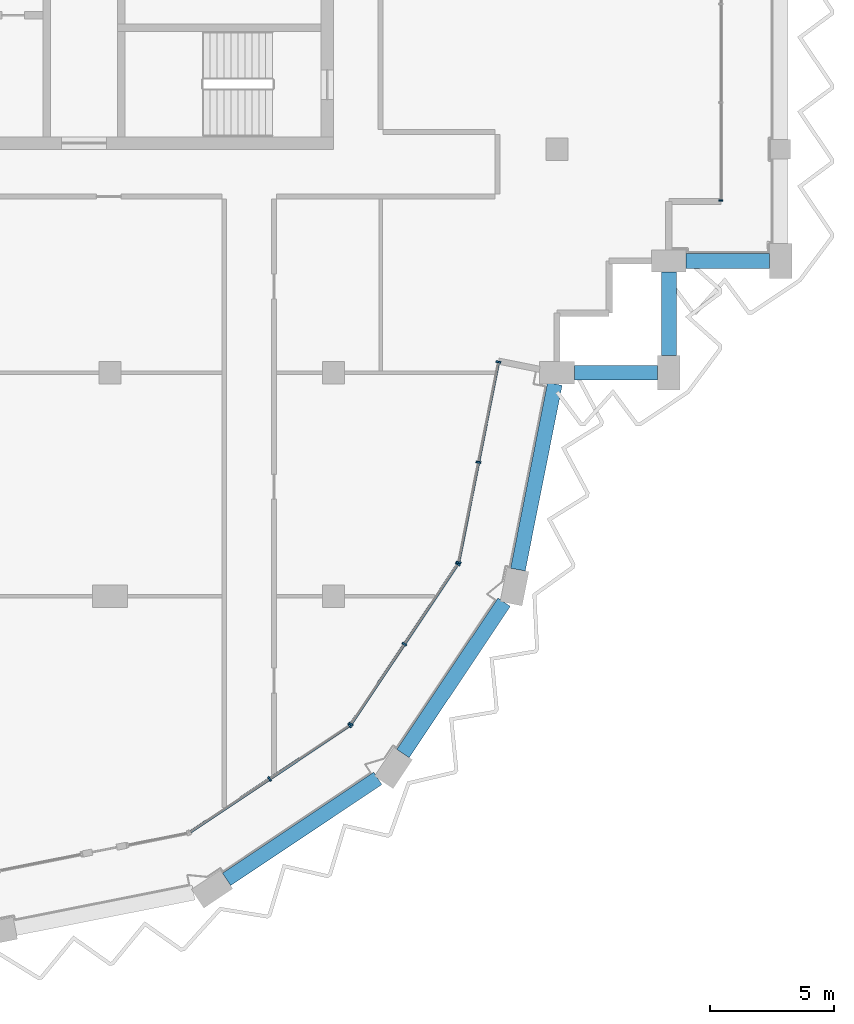
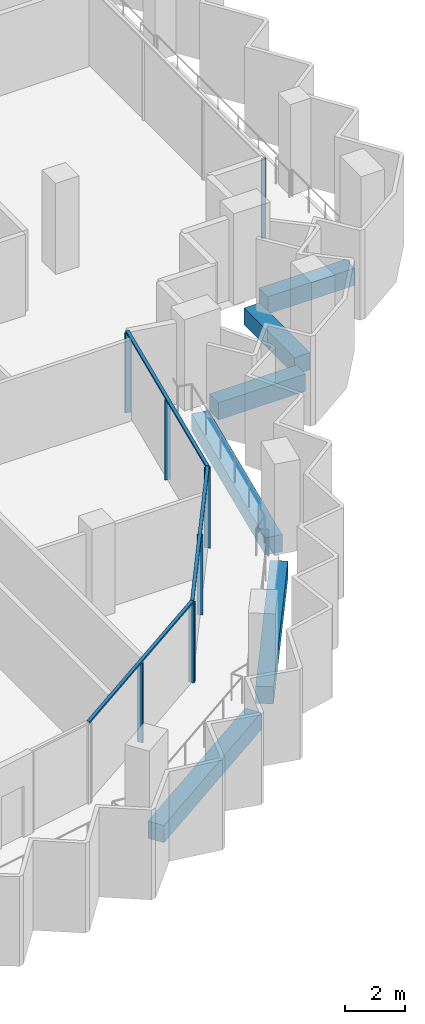
# One storey, part 3 of 14: 12 members, 6 beams, 4 elements without a shape of their own.
"""IFC4 building model written with IfcOpenShell, lengths in metres."""

from ifc_helpers import new_model, si_unit, direction, frame, origin, origin_2d, place, context, subcontext, project, spatial, rectangle, extrude, material, material_profile, profile_set, type_object, element, aggregate, save


model = new_model("IFC4")

# Units and contexts
model_context = context("Model", 3, precision=1e-05, world=origin(), true_north=direction((0.0, 1.0)))
body_context = subcontext(model_context, "Body", "Model", "MODEL_VIEW")
ifc_project = project(units=[si_unit("LENGTHUNIT", "METRE"), si_unit("AREAUNIT", "SQUARE_METRE"), si_unit("VOLUMEUNIT", "CUBIC_METRE"), si_unit("PLANEANGLEUNIT", "RADIAN"), si_unit("MASSUNIT", "GRAM", prefix="KILO")], contexts=[model_context])

# Site, building, storey
site_placement = place(None, origin())
site = spatial("IfcSite", under=ifc_project, at=site_placement, CompositionType="ELEMENT")
building_placement = place(site_placement, origin())
building = spatial("IfcBuilding", under=site, at=building_placement, Name="Hunhe Ridgeline Campus", CompositionType="ELEMENT")
storey_placement = place(building_placement, frame((0.0, 0.0, 288.199951171875)))
storey = spatial("IfcBuildingStorey", under=building, at=storey_placement, Name="L74", CompositionType="ELEMENT", Elevation=288.199951171875)

# Curtain wall, member
ifc_material_1 = material(Name="Aluminium 6063", Category="aluminium")
curtain_wall_type_1 = type_object("IfcCurtainWallType", Name="Curtain wall CW-1", PredefinedType="NOTDEFINED", material=ifc_material_1)
curtain_wall_1_placement = place(storey_placement, origin())
curtain_wall_1 = element("IfcCurtainWall", 1, at=curtain_wall_1_placement, inside=storey, type_object=curtain_wall_type_1, Name="Curtain wall 11", PredefinedType="NOTDEFINED")
ifc_material_profile_1 = material_profile(ifc_material_1, rectangle(XDim=0.159912109375, YDim=0.06005859375, at=origin_2d()))
ifc_profile_set_1 = profile_set([ifc_material_profile_1], Name="Aluminium 6063")
member_type_1 = type_object("IfcMemberType", Name="CW-1 aluminium mullion", PredefinedType="MULLION", material=ifc_profile_set_1)
member_1_placement = place(storey_placement, frame((51.59912109375, 60.930908203125, 0.0), z_axis=(0.0, 0.0, 1.0), x_axis=(-1.0, 0.0, 0.0)))
member_1 = element("IfcMember", 2, at=member_1_placement, type_object=member_type_1, Name="CW-1 mullion 1", PredefinedType="MULLION", context=body_context, shape_type="SweptSolid", body=[
    extrude(rectangle(XDim=0.159912109375, YDim=0.06005859375, at=origin_2d()), origin(), (0.0, 0.0, 1.0), 3.239990234375),
])
aggregate(curtain_wall_1, [member_1])

# Curtain wall, members
curtain_wall_type_2 = type_object("IfcCurtainWallType", Name="Curtain wall CW-5", PredefinedType="NOTDEFINED", material=ifc_material_1)
curtain_wall_2_placement = place(storey_placement, origin())
curtain_wall_2 = element("IfcCurtainWall", 3, at=curtain_wall_2_placement, inside=storey, type_object=curtain_wall_type_2, Name="Curtain wall 08", PredefinedType="NOTDEFINED")
ifc_material_profile_2 = material_profile(ifc_material_1, rectangle(XDim=0.199951171875, YDim=0.070068359375, at=origin_2d()))
ifc_profile_set_2 = profile_set([ifc_material_profile_2], Name="Aluminium 6063")
member_type_2 = type_object("IfcMemberType", Name="CW-5 aluminium mullion", PredefinedType="MULLION", material=ifc_profile_set_2)
member_2_placement = place(storey_placement, frame((33.42626953125, 37.647705078125, 0.0), z_axis=(0.0, 0.0, 1.0), x_axis=(-0.555570274596, 0.831469584522, 0.0)))
member_2 = element("IfcMember", 4, at=member_2_placement, type_object=member_type_2, Name="CW-5 mullion 2", PredefinedType="MULLION", context=body_context, shape_type="SweptSolid", body=[
    extrude(rectangle(XDim=0.199951171875, YDim=0.070068359375, at=origin_2d()), origin(), (0.0, 0.0, 1.0), 3.22998046875),
])
member_3_placement = place(storey_placement, frame((36.649658203125, 39.8017578125, 0.0), z_axis=(0.0, 0.0, 1.0), x_axis=(-0.555570274596, 0.831469584522, 0.0)))
member_3 = element("IfcMember", 5, at=member_3_placement, type_object=member_type_2, Name="CW-5 mullion 3", PredefinedType="MULLION", context=body_context, shape_type="SweptSolid", body=[
    extrude(rectangle(XDim=0.199951171875, YDim=0.070068359375, at=origin_2d()), origin(), (0.0, 0.0, 1.0), 3.22998046875),
])

curtain_wall_3_placement = place(storey_placement, origin())
curtain_wall_3 = element("IfcCurtainWall", 6, at=curtain_wall_3_placement, inside=storey, type_object=curtain_wall_type_2, Name="Curtain wall 09", PredefinedType="NOTDEFINED")
member_4_placement = place(storey_placement, frame((36.6982421875, 39.850341796875, 0.0), z_axis=(0.0, 0.0, 1.0), x_axis=(-0.831469584522, 0.555570274596, 0.0)))
member_4 = element("IfcMember", 7, at=member_4_placement, type_object=member_type_2, Name="CW-5 mullion 1", PredefinedType="MULLION", context=body_context, shape_type="SweptSolid", body=[
    extrude(rectangle(XDim=0.199951171875, YDim=0.070068359375, at=origin_2d()), origin(), (0.0, 0.0, 1.0), 3.22998046875),
])
member_5_placement = place(storey_placement, frame((38.852294921875, 43.07373046875, 0.0), z_axis=(0.0, 0.0, 1.0), x_axis=(-0.831469584522, 0.555570274596, 0.0)))
member_5 = element("IfcMember", 8, at=member_5_placement, type_object=member_type_2, Name="CW-5 mullion 2", PredefinedType="MULLION", context=body_context, shape_type="SweptSolid", body=[
    extrude(rectangle(XDim=0.199951171875, YDim=0.070068359375, at=origin_2d()), origin(), (0.0, 0.0, 1.0), 3.22998046875),
])
member_6_placement = place(storey_placement, frame((41.006103515625, 46.29736328125, 0.0), z_axis=(0.0, 0.0, 1.0), x_axis=(-0.831469584522, 0.555570274596, 0.0)))
member_6 = element("IfcMember", 9, at=member_6_placement, type_object=member_type_2, Name="CW-5 mullion 3", PredefinedType="MULLION", context=body_context, shape_type="SweptSolid", body=[
    extrude(rectangle(XDim=0.199951171875, YDim=0.070068359375, at=origin_2d()), origin(), (0.0, 0.0, 1.0), 3.22998046875),
])

curtain_wall_4_placement = place(storey_placement, origin())
curtain_wall_4 = element("IfcCurtainWall", 10, at=curtain_wall_4_placement, inside=storey, type_object=curtain_wall_type_2, Name="Curtain wall 10", PredefinedType="NOTDEFINED")
member_7_placement = place(storey_placement, frame((41.032470703125, 46.36083984375, 0.0), z_axis=(0.0, 0.0, 1.0), x_axis=(-0.980782515828, 0.19510421996, 0.0)))
member_7 = element("IfcMember", 11, at=member_7_placement, type_object=member_type_2, Name="CW-5 mullion 1", PredefinedType="MULLION", context=body_context, shape_type="SweptSolid", body=[
    extrude(rectangle(XDim=0.199951171875, YDim=0.070068359375, at=origin_2d()), origin(), (0.0, 0.0, 1.0), 3.22998046875),
])
member_8_placement = place(storey_placement, frame((41.83544921875, 50.397705078125, 0.0), z_axis=(0.0, 0.0, 1.0), x_axis=(-0.980782515828, 0.19510421996, 0.0)))
member_8 = element("IfcMember", 12, at=member_8_placement, type_object=member_type_2, Name="CW-5 mullion 2", PredefinedType="MULLION", context=body_context, shape_type="SweptSolid", body=[
    extrude(rectangle(XDim=0.199951171875, YDim=0.070068359375, at=origin_2d()), origin(), (0.0, 0.0, 1.0), 3.22998046875),
])
member_9_placement = place(storey_placement, frame((42.638427734375, 54.4345703125, 0.0), z_axis=(0.0, 0.0, 1.0), x_axis=(-0.980782515828, 0.19510421996, 0.0)))
member_9 = element("IfcMember", 13, at=member_9_placement, type_object=member_type_2, Name="CW-5 mullion 3", PredefinedType="MULLION", context=body_context, shape_type="SweptSolid", body=[
    extrude(rectangle(XDim=0.199951171875, YDim=0.070068359375, at=origin_2d()), origin(), (0.0, 0.0, 1.0), 3.22998046875),
])

# Member
ifc_material_profile_3 = material_profile(ifc_material_1, rectangle(XDim=0.1201171875, YDim=0.070068359375, at=origin_2d()))
ifc_profile_set_3 = profile_set([ifc_material_profile_3], Name="Aluminium 6063")
member_type_3 = type_object("IfcMemberType", Name="CW-5 aluminium transom", PredefinedType="USERDEFINED", material=ifc_profile_set_3)
member_10_placement = place(storey_placement, frame((30.173583984375, 35.474365234375, 3.26513671875), z_axis=(0.831473763475, 0.5555640203, 0.0), x_axis=(-0.5555640203, 0.831473763475, 0.0)))
member_10 = element("IfcMember", 14, at=member_10_placement, type_object=member_type_3, Name="CW-5 transom 1", ObjectType="TRANSOM", PredefinedType="USERDEFINED", context=body_context, shape_type="SweptSolid", body=[
    extrude(rectangle(XDim=0.1201171875, YDim=0.070068359375, at=origin_2d()), origin(), (0.0, 0.0, 1.0), 7.823974609375),
])

aggregate(curtain_wall_2, [member_10, member_2, member_3])

member_11_placement = place(storey_placement, frame((36.678955078125, 39.821044921875, 3.26513671875), z_axis=(0.5555640203, 0.831473763475, 0.0), x_axis=(-0.831473763475, 0.5555640203, 0.0)))
member_11 = element("IfcMember", 15, at=member_11_placement, type_object=member_type_3, Name="CW-5 transom 1", ObjectType="TRANSOM", PredefinedType="USERDEFINED", context=body_context, shape_type="SweptSolid", body=[
    extrude(rectangle(XDim=0.1201171875, YDim=0.070068359375, at=origin_2d()), origin(), (0.0, 0.0, 1.0), 7.823974609375),
])

aggregate(curtain_wall_3, [member_11, member_4, member_5, member_6])

member_12_placement = place(storey_placement, frame((41.025634765625, 46.326416015625, 3.26513671875), z_axis=(0.195092405068, 0.980784866056, 0.0), x_axis=(-0.980784866056, 0.195092405068, 0.0)))
member_12 = element("IfcMember", 16, at=member_12_placement, type_object=member_type_3, Name="CW-5 transom 1", ObjectType="TRANSOM", PredefinedType="USERDEFINED", context=body_context, shape_type="SweptSolid", body=[
    extrude(rectangle(XDim=0.1201171875, YDim=0.070068359375, at=origin_2d()), origin(), (0.0, 0.0, 1.0), 8.3017578125),
])

aggregate(curtain_wall_4, [member_12, member_7, member_8, member_9])

# Beams
ifc_material_2 = material(Name="Concrete C50", Category="concrete")
ifc_material_profile_4 = material_profile(ifc_material_2, rectangle(XDim=0.60009765625, YDim=0.699951171875, at=origin_2d()))
ifc_profile_set_4 = profile_set([ifc_material_profile_4], Name="Concrete C50")
beam_type = type_object("IfcBeamType", Name="RC spandrel beam 600x700 Concrete C50", PredefinedType="SPANDREL", material=ifc_profile_set_4)
beam_1_placement = place(storey_placement, frame((31.6923828125, 33.6015625, -0.599853515625), z_axis=(0.831470141209, 0.555569441455, 0.0), x_axis=(-0.555569441455, 0.831470141209, 0.0)))
element("IfcBeam", 17, at=beam_1_placement, inside=storey, type_object=beam_type, Name="Spandrel beam B4-6 L74", PredefinedType="SPANDREL", context=body_context, shape_type="SweptSolid", body=[
    extrude(rectangle(XDim=0.60009765625, YDim=0.699951171875, at=origin_2d()), origin(), (0.0, 0.0, 1.0), 7.321533203125),
])
beam_2_placement = place(storey_placement, frame((38.798828125, 38.672119140625, -0.599853515625), z_axis=(0.555584845389, 0.831459848444, 0.0), x_axis=(-0.831459848444, 0.555584845389, 0.0)))
element("IfcBeam", 18, at=beam_2_placement, inside=storey, type_object=beam_type, Name="Spandrel beam B4-7 L74", PredefinedType="SPANDREL", context=body_context, shape_type="SweptSolid", body=[
    extrude(rectangle(XDim=0.60009765625, YDim=0.699951171875, at=origin_2d()), origin(), (0.0, 0.0, 1.0), 7.3212890625),
])
beam_3_placement = place(storey_placement, frame((43.423828125, 46.076171875, -0.599853515625), z_axis=(0.195080943744, 0.980787145811, 0.0), x_axis=(-0.980787145811, 0.195080943744, 0.0)))
element("IfcBeam", 19, at=beam_3_placement, inside=storey, type_object=beam_type, Name="Spandrel beam B4-8 L74", PredefinedType="SPANDREL", context=body_context, shape_type="SweptSolid", body=[
    extrude(rectangle(XDim=0.60009765625, YDim=0.699951171875, at=origin_2d()), origin(), (0.0, 0.0, 1.0), 7.620361328125),
])
for number, where, z_axis, x_axis, name in (
    (20, (45.699951171875, 54.0, -0.599853515625), (1.0, 0.0, 0.0), (0.0, 1.0, 0.0), "Spandrel beam B4-9 L74"),
    (21, (49.5, 54.699951171875, -0.599853515625), (0.0, 1.0, 0.0), (-1.0, 0.0, 0.0), "Spandrel beam B4-10 L74"),
    (22, (50.199951171875, 58.5, -0.599853515625), (1.0, 0.0, 0.0), (0.0, 1.0, 0.0), "Spandrel beam B4-11 L74"),
):
    element("IfcBeam", number, at=place(storey_placement, frame(where, z_axis=z_axis, x_axis=x_axis)), inside=storey, type_object=beam_type, Name=name, PredefinedType="SPANDREL", context=body_context, shape_type="SweptSolid", body=[
        extrude(rectangle(XDim=0.60009765625, YDim=0.699951171875, at=origin_2d()), origin(), (0.0, 0.0, 1.0), 3.35009765625),
    ])

save(model, "model.ifc")
